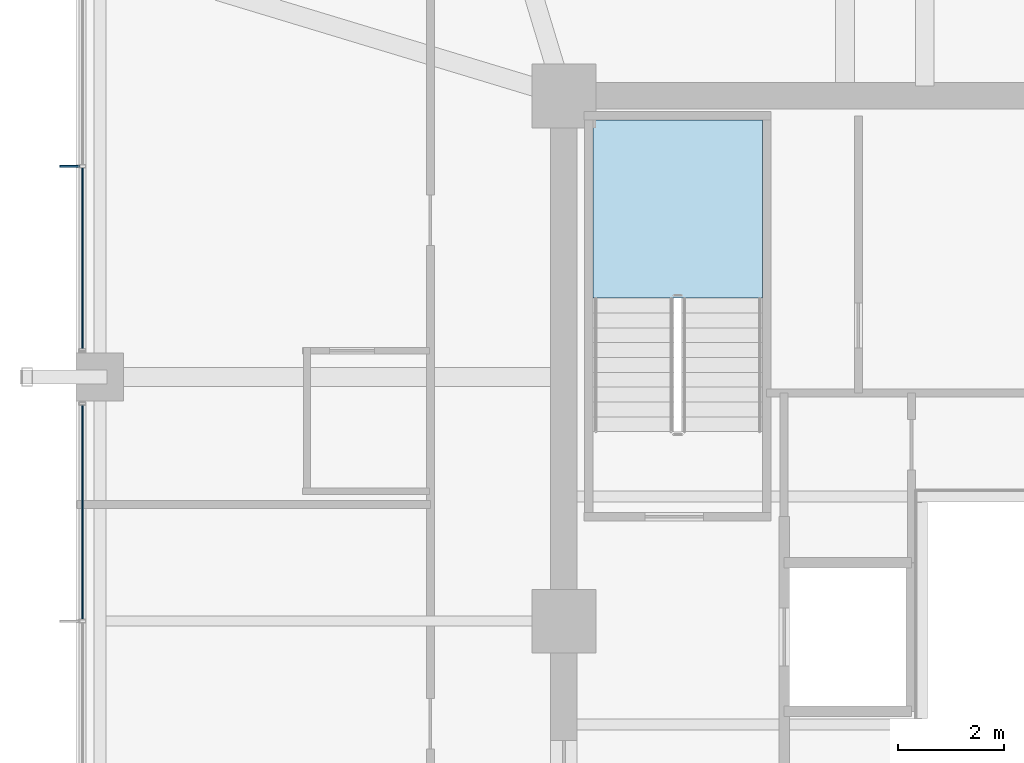
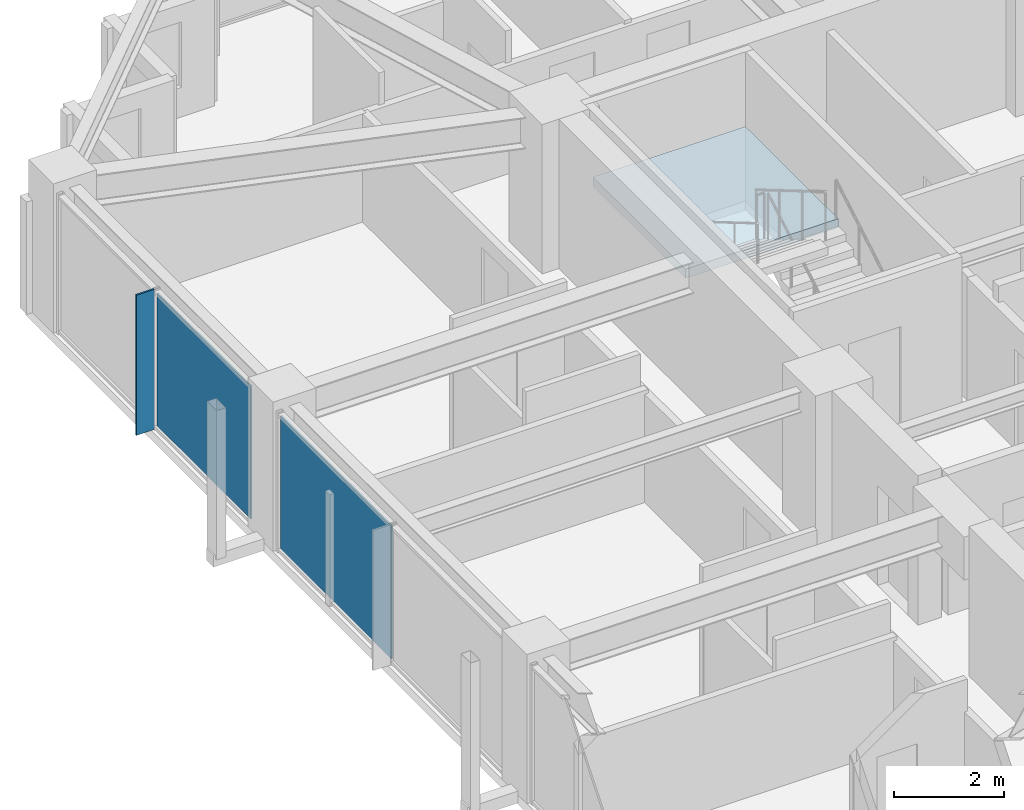
# One storey, part 22 of 32: 3 plates, 1 slab, 3 elements without a shape of their own.
"""IFC4 building model written with IfcOpenShell, lengths in metres."""

from ifc_helpers import new_model, si_unit, direction, frame, origin, origin_2d, place, context, subcontext, project, spatial, polyline, rectangle, outline, extrude, material, layer, layer_set, type_object, element, aggregate, save


model = new_model("IFC4")

# Units and contexts
model_context = context("Model", 3, precision=1e-05, world=origin(), true_north=direction((0.0, 1.0)))
body_context = subcontext(model_context, "Body", "Model", "MODEL_VIEW")
ifc_project = project(units=[si_unit("LENGTHUNIT", "METRE"), si_unit("AREAUNIT", "SQUARE_METRE"), si_unit("VOLUMEUNIT", "CUBIC_METRE"), si_unit("PLANEANGLEUNIT", "RADIAN"), si_unit("MASSUNIT", "GRAM", prefix="KILO")], contexts=[model_context])

# Site, building, storey
site_placement = place(None, origin())
site = spatial("IfcSite", under=ifc_project, at=site_placement, CompositionType="ELEMENT")
building_placement = place(site_placement, origin())
building = spatial("IfcBuilding", under=site, at=building_placement, Name="Kolvaren Belvedere", CompositionType="ELEMENT")
storey_placement = place(building_placement, frame((0.0, 0.0, 160.199951171875)))
storey = spatial("IfcBuildingStorey", under=building, at=storey_placement, Name="L46", CompositionType="ELEMENT", Elevation=160.199951171875)

# Curtain wall, plate
ifc_material_1 = material(Name="Anodised pale-metal aluminium AA 6063-T6", Category="aluminium")
curtain_wall_type = type_object("IfcCurtainWallType", Name="CW-Z3-WAIST", PredefinedType="NOTDEFINED", material=ifc_material_1)
curtain_wall_1_placement = place(storey_placement, origin())
curtain_wall_1 = element("IfcCurtainWall", 1, at=curtain_wall_1_placement, inside=storey, type_object=curtain_wall_type, Name="L46 Unitised Curtain Wall FCW-L46-W-B2", PredefinedType="NOTDEFINED")
ifc_material_2 = material(Name="Low-iron triple insulated glass", Category="glass")
ifc_layer_1 = layer(ifc_material_2, 0.028076171875)
ifc_layer_set_1 = layer_set([ifc_layer_1], Name="Low-iron triple insulated glass")
plate_type_1 = type_object("IfcPlateType", Name="CW-PNL-VIS28", PredefinedType="CURTAIN_PANEL", material=ifc_layer_set_1)
plate_1_placement = place(storey_placement, frame((-18.97998046875, 2.048828125, 0.080078125), z_axis=(0.0, 0.0, 1.0), x_axis=(0.0, 1.0, 0.0)))
plate_1 = element("IfcPlate", 2, at=plate_1_placement, type_object=plate_type_1, Name="FCW-L46-W-B2 Vision Glazing Panel 2", PredefinedType="CURTAIN_PANEL", context=body_context, shape_type="SweptSolid", body=[
    extrude(rectangle(XDim=4.017578125, YDim=0.028076171875, at=origin_2d()), origin(), (0.0, 0.0, 1.0), 2.93994140625),
])
aggregate(curtain_wall_1, [plate_1])

curtain_wall_2_placement = place(storey_placement, origin())
curtain_wall_2 = element("IfcCurtainWall", 3, at=curtain_wall_2_placement, inside=storey, type_object=curtain_wall_type, Name="L46 Unitised Curtain Wall FCW-L46-W-B3", PredefinedType="NOTDEFINED")
plate_2_placement = place(storey_placement, frame((-18.97998046875, 6.8388671875, 0.080078125), z_axis=(0.0, 0.0, 1.0), x_axis=(0.0, 1.0, 0.0)))
plate_2 = element("IfcPlate", 4, at=plate_2_placement, type_object=plate_type_1, Name="FCW-L46-W-B3 Vision Glazing Panel 1", PredefinedType="CURTAIN_PANEL", context=body_context, shape_type="SweptSolid", body=[
    extrude(rectangle(XDim=3.392578125, YDim=0.028076171875, at=origin_2d()), origin(), (0.0, 0.0, 1.0), 2.93994140625),
])
aggregate(curtain_wall_2, [plate_2])

# Plate
ifc_material_3 = material(Name="Anodised pale-metal aluminium AA 6063-T6", Category="aluminium")
ifc_layer_2 = layer(ifc_material_3, 0.033935546875)
ifc_layer_set_2 = layer_set([ifc_layer_2], Name="Anodised pale-metal aluminium AA 6063-T6")
plate_type_2 = type_object("IfcPlateType", Name="FIN-VERT-380", PredefinedType="USERDEFINED", material=ifc_layer_set_2)
plate_3_placement = place(storey_placement, frame((-19.219970703125, 8.574951171875, 0.0), z_axis=(0.0, 0.0, 1.0), x_axis=(1.0, 0.0, 0.0)))
element("IfcPlate", 5, at=plate_3_placement, inside=storey, type_object=plate_type_2, Name="L46 Pale-Metal Vertical Shading Fin FCW-L46-W-B3-1", ObjectType="VERTICAL FIN", PredefinedType="USERDEFINED", context=body_context, shape_type="SweptSolid", body=[
    extrude(rectangle(XDim=0.3798828125, YDim=0.033935546875, at=origin_2d()), origin(), (0.0, 0.0, 1.0), 3.10009765625),
])

# Stair, slab
ifc_material_4 = material(Name="Concrete C50/60", Category="concrete")
stair_type = type_object("IfcStairType", Name="ST-CORE-1520", PredefinedType="HALF_TURN_STAIR", material=ifc_material_4)
stair_placement = place(storey_placement, origin())
stair = element("IfcStair", 6, at=stair_placement, inside=storey, type_object=stair_type, Name="L46 Protected Exit Stair ST-1", PredefinedType="HALF_TURN_STAIR")
ifc_material_5 = material(Name="Concrete C50/60", Category="concrete")
ifc_layer_3 = layer(ifc_material_5, 0.260009765625)
ifc_layer_set_3 = layer_set([ifc_layer_3], Name="Concrete C50/60")
slab_type = type_object("IfcSlabType", Name="SL-LAND-260", PredefinedType="LANDING", material=ifc_layer_set_3)
slab_placement = place(storey_placement, frame((0.0, 0.0, 1.449951171875)))
slab = element("IfcSlab", 7, at=slab_placement, type_object=slab_type, Name="ST-1 landing 1", PredefinedType="LANDING", context=body_context, shape_type="SweptSolid", body=[
    extrude(outline(polyline([(-6.159912109375, 6.090087890625), (-6.159912109375, 9.449951171875), (-9.35009765625, 9.449951171875), (-9.35009765625, 6.090087890625), (-6.159912109375, 6.090087890625)])), origin(), (0.0, 0.0, 1.0), 0.2001953125),
])
aggregate(stair, [slab])

save(model, "model.ifc")
